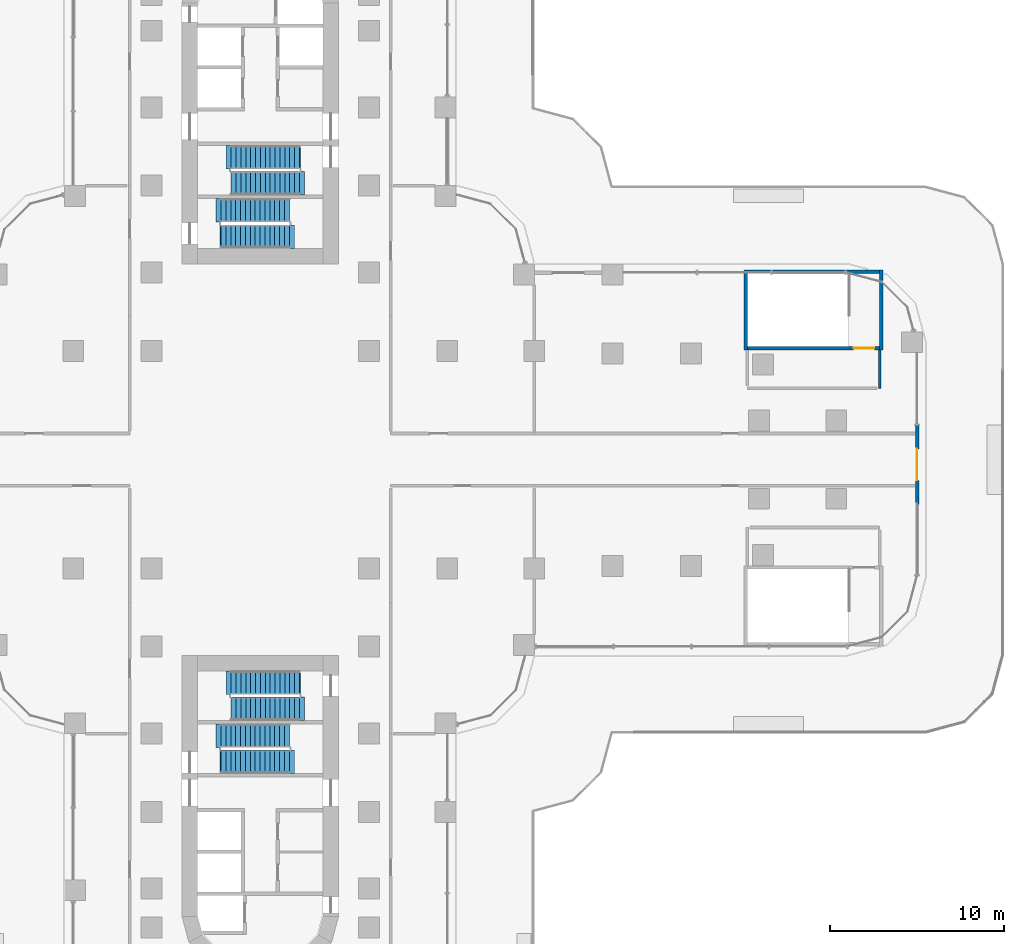
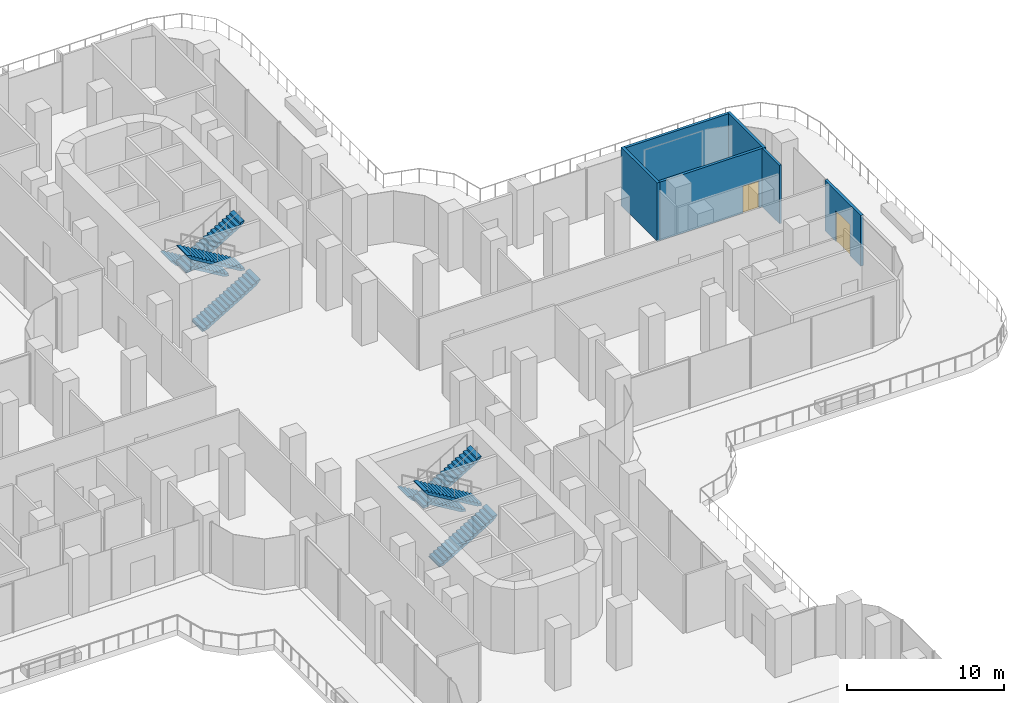
# One storey, part 17 of 21: 8 stair flights, 6 walls, 2 doors, 2 openings, 4 elements without a shape of their own.
"""IFC4 building model written with IfcOpenShell, lengths in metres."""

from ifc_helpers import new_model, si_unit, direction, frame, frame_2d, origin, place, context, subcontext, project, spatial, polyline, rectangle, outline, extrude, material, layer, layer_set, type_object, element, fill, aggregate, save


model = new_model("IFC4")

# Units and contexts
model_context = context("Model", 3, precision=1e-05, world=origin(), true_north=direction((0.0, 1.0)))
body_context = subcontext(model_context, "Body", "Model", "MODEL_VIEW")
ifc_project = project(units=[si_unit("LENGTHUNIT", "METRE"), si_unit("AREAUNIT", "SQUARE_METRE"), si_unit("VOLUMEUNIT", "CUBIC_METRE"), si_unit("PLANEANGLEUNIT", "RADIAN"), si_unit("MASSUNIT", "GRAM", prefix="KILO")], contexts=[model_context])

# Site, building, storey
site_placement = place(None, origin())
site = spatial("IfcSite", under=ifc_project, at=site_placement, CompositionType="ELEMENT")
building_placement = place(site_placement, origin())
building = spatial("IfcBuilding", under=site, at=building_placement, Name="Zarbagh Exchange Tower", CompositionType="ELEMENT")
storey_placement = place(building_placement, frame((0.0, 0.0, 22.0)))
storey = spatial("IfcBuildingStorey", under=building, at=storey_placement, Name="L04", CompositionType="ELEMENT", Elevation=22.0)

# Walls
ifc_material_1 = material(Name="Plasterboard partition")
ifc_layer_1 = layer(ifc_material_1, 0.14990234375)
ifc_layer_set_1 = layer_set([ifc_layer_1], Name="Board partition 150")
wall_type_1 = type_object("IfcWallType", Name="Board partition 150", PredefinedType="PARTITIONING", material=ifc_layer_set_1)
wall_1_placement = place(storey_placement, frame((35.60009765625, 6.300048828125, 0.0), z_axis=(0.0, 0.0, 1.0), x_axis=(0.0, -1.0, 0.0)))
element("IfcWall", 1, at=wall_1_placement, inside=storey, type_object=wall_type_1, Name="WL-L04-W003", PredefinedType="PARTITIONING", context=body_context, shape_type="SweptSolid", body=[
    extrude(rectangle(XDim=2.199951171875, YDim=0.14990234375, at=frame_2d((1.10009765625, 0.0))), origin(), (0.0, 0.0, 1.0), 4.550048828125),
])
ifc_material_2 = material(Name="Concrete C40/50", Category="concrete")
ifc_layer_2 = layer(ifc_material_2, 0.199951171875)
ifc_layer_set_2 = layer_set([ifc_layer_2], Name="Stair enclosure wall 200 mm RC C40/50")
wall_type_2 = type_object("IfcWallType", Name="Stair enclosure wall 200 mm RC C40/50", PredefinedType="SHEAR", material=ifc_layer_set_2)
for number, where, z_axis, x_axis, name in (
    (2, (27.89990234375, 6.300048828125, 0.0), (0.0, 0.0, 1.0), (0.0, 1.0, 0.0), "Exit stair PS3 enclosure wall W"),
    (3, (35.699951171875, 6.300048828125, 0.0), (0.0, 0.0, 1.0), (0.0, 1.0, 0.0), "Exit stair PS3 enclosure wall E"),
):
    element("IfcWall", number, at=place(storey_placement, frame(where, z_axis=z_axis, x_axis=x_axis)), inside=storey, type_object=wall_type_2, Name=name, PredefinedType="SHEAR", context=body_context, shape_type="SweptSolid", body=[
        extrude(rectangle(XDim=4.599853515625, YDim=0.199951171875, at=frame_2d((2.2998046875, 0.0))), origin(), (0.0, 0.0, 1.0), 4.550048828125),
    ])

# Wall, opening, door
wall_2_placement = place(storey_placement, frame((28.0, 6.39990234375, 0.0), z_axis=(0.0, 0.0, 1.0), x_axis=(1.0, 0.0, 0.0)))
wall_2 = element("IfcWall", 4, at=wall_2_placement, inside=storey, type_object=wall_type_2, Name="Exit stair PS3 enclosure wall S", PredefinedType="SHEAR", context=body_context, shape_type="SweptSolid", body=[
    extrude(rectangle(XDim=7.60009765625, YDim=0.199951171875, at=frame_2d((3.800048828125, 0.0))), origin(), (0.0, 0.0, 1.0), 4.550048828125),
])
opening_1_placement = place(wall_2_placement, frame((6.10009765625, 0.0, 0.0)))
opening_1 = element("IfcOpeningElement", 5, at=opening_1_placement, cuts=wall_2, Name="Opening SD1-1200", PredefinedType="OPENING", context=body_context, shape_type="SweptSolid", body=[
    extrude(rectangle(XDim=1.199951171875, YDim=2.10009765625, at=frame_2d((0.60009765625, 1.050048828125))), frame((0.0, 0.10986328125, 0.0), z_axis=(0.0, -1.0, 0.0), x_axis=(1.0, 0.0, 0.0)), (0.0, 0.0, 1.0), 0.219970703125),
])
ifc_material_3 = material(Name="Steel", Category="steel")
door_type_1 = type_object("IfcDoorType", Name="Exit stair door 1200 x 2100", OperationType="NOTDEFINED", PredefinedType="DOOR", material=ifc_material_3)
door_1_placement = place(opening_1_placement, origin())
door_1 = element("IfcDoor", 6, at=door_1_placement, inside=storey, type_object=door_type_1, Name="Exit stair PS3 entry door", OperationType="SINGLE_SWING_RIGHT", OverallHeight=2.10009765625, OverallWidth=1.199951171875, PredefinedType="DOOR", context=body_context, shape_type="SweptSolid", body=[
    extrude(rectangle(XDim=1.199951171875, YDim=2.10009765625, at=frame_2d((0.60009765625, 1.050048828125))), frame((0.0, 0.02490234375, 0.0), z_axis=(0.0, -1.0, 0.0), x_axis=(1.0, 0.0, 0.0)), (0.0, 0.0, 1.0), 0.050048828125),
])
fill(opening_1, door_1)

# Wall
wall_3_placement = place(storey_placement, frame((28.0, 10.800048828125, 0.0), z_axis=(0.0, 0.0, 1.0), x_axis=(1.0, 0.0, 0.0)))
element("IfcWall", 7, at=wall_3_placement, inside=storey, type_object=wall_type_2, Name="Exit stair PS3 enclosure wall N", PredefinedType="SHEAR", context=body_context, shape_type="SweptSolid", body=[
    extrude(rectangle(XDim=7.60009765625, YDim=0.199951171875, at=frame_2d((3.800048828125, 0.0))), origin(), (0.0, 0.0, 1.0), 4.550048828125),
])

# Wall, opening, door
ifc_material_4 = material(Name="Precast concrete C50/60", Category="concrete")
ifc_layer_3 = layer(ifc_material_4, 0.199951171875)
ifc_layer_set_3 = layer_set([ifc_layer_3], Name="Terrace door wall, precast concrete C50/60")
wall_type_3 = type_object("IfcWallType", Name="Terrace door wall, precast concrete C50/60", PredefinedType="SOLIDWALL", material=ifc_layer_set_3)
wall_4_placement = place(storey_placement, frame((37.75, -2.5771484375, 0.0), z_axis=(0.0, 0.0, 1.0), x_axis=(0.0, 1.0, 0.0)))
wall_4 = element("IfcWall", 8, at=wall_4_placement, inside=storey, type_object=wall_type_3, Name="TW28 door wall", PredefinedType="SOLIDWALL", context=body_context, shape_type="SweptSolid", body=[
    extrude(rectangle(XDim=4.580078125, YDim=0.199951171875, at=frame_2d((2.2900390625, 0.0))), origin(), (0.0, 0.0, 1.0), 3.949951171875),
])
opening_2_placement = place(wall_4_placement, frame((1.389892578125, 0.0, 0.0)))
opening_2 = element("IfcOpeningElement", 9, at=opening_2_placement, cuts=wall_4, Name="Opening TD03", PredefinedType="OPENING", context=body_context, shape_type="SweptSolid", body=[
    extrude(rectangle(XDim=1.800048828125, YDim=2.39990234375, at=frame_2d((0.89990234375, 1.199951171875))), frame((0.0, 0.10986328125, 0.0), z_axis=(0.0, -1.0, 0.0), x_axis=(1.0, 0.0, 0.0)), (0.0, 0.0, 1.0), 0.219970703125),
])
ifc_material_5 = material(Name="Anodised aluminium and glass", Category="aluminium")
door_type_2 = type_object("IfcDoorType", Name="Terrace door, double leaf, aluminium and glass", OperationType="DOUBLE_DOOR_DOUBLE_SWING", PredefinedType="DOOR", material=ifc_material_5)
door_2_placement = place(opening_2_placement, origin())
door_2 = element("IfcDoor", 10, at=door_2_placement, inside=storey, type_object=door_type_2, Name="TD03 terrace door", OperationType="SINGLE_SWING_LEFT", OverallHeight=2.39990234375, OverallWidth=1.800048828125, PredefinedType="DOOR", context=body_context, shape_type="SweptSolid", body=[
    extrude(rectangle(XDim=1.800048828125, YDim=2.39990234375, at=frame_2d((0.89990234375, 1.199951171875))), frame((0.0, 0.02490234375, 0.0), z_axis=(0.0, -1.0, 0.0), x_axis=(1.0, 0.0, 0.0)), (0.0, 0.0, 1.0), 0.050048828125),
])
fill(opening_2, door_2)

# Stair, stair flights
stair_type = type_object("IfcStairType", Name="Exit stair two-flight half-turn", PredefinedType="HALF_TURN_STAIR", material=ifc_material_2)
stair_1_placement = place(storey_placement, origin())
stair_1 = element("IfcStair", 11, at=stair_1_placement, inside=storey, type_object=stair_type, Name="exit stair ST1", PredefinedType="HALF_TURN_STAIR")
stair_flight_type = type_object("IfcStairFlightType", Name="Stair flight 1350 mm", PredefinedType="STRAIGHT", material=ifc_material_2)
stair_flight_1_placement = place(storey_placement, frame((2.25, 17.375, 0.0), z_axis=(0.0, 0.0, 1.0), x_axis=(-1.0, 0.0, 0.0)))
stair_flight_1 = element("IfcStairFlight", 12, at=stair_flight_1_placement, type_object=stair_flight_type, Name="ST1 flight 1", NumberOfRisers=15, NumberOfTreads=14, PredefinedType="STRAIGHT", RiserHeight=0.166666667, TreadLength=0.28, context=body_context, shape_type="SweptSolid", body=[
    extrude(outline(polyline([(-0.050048828125, -0.050048828125), (-0.050048828125, 0.0), (0.0, 0.0), (0.0, 0.166748046875), (0.280029296875, 0.166748046875), (0.280029296875, 0.333251953125), (0.56005859375, 0.333251953125), (0.56005859375, 0.5), (0.840087890625, 0.5), (0.840087890625, 0.666748046875), (1.1201171875, 0.666748046875), (1.1201171875, 0.833251953125), (1.39990234375, 0.833251953125), (1.39990234375, 1.0), (1.679931640625, 1.0), (1.679931640625, 1.166748046875), (1.9599609375, 1.166748046875), (1.9599609375, 1.333251953125), (2.239990234375, 1.333251953125), (2.239990234375, 1.5), (2.52001953125, 1.5), (2.52001953125, 1.666748046875), (2.800048828125, 1.666748046875), (2.800048828125, 1.833251953125), (3.080078125, 1.833251953125), (3.080078125, 2.0), (3.360107421875, 2.0), (3.360107421875, 2.166748046875), (3.639892578125, 2.166748046875), (3.639892578125, 2.333251953125), (3.919921875, 2.333251953125), (3.919921875, 2.5), (4.219970703125, 2.580078125), (4.219970703125, 2.5), (3.919921875, 2.158935546875), (0.29296875, 0.0), (-0.050048828125, -0.050048828125)])), frame((0.0, 0.675048828125, 0.0), z_axis=(0.0, -1.0, 0.0), x_axis=(1.0, 0.0, 0.0)), (0.0, 0.0, 1.0), 1.35009765625),
])
stair_flight_2_placement = place(storey_placement, frame((-1.669921875, 15.875, 2.5), z_axis=(0.0, 0.0, 1.0), x_axis=(1.0, 0.0, 0.0)))
stair_flight_2 = element("IfcStairFlight", 13, at=stair_flight_2_placement, type_object=stair_flight_type, Name="ST1 flight 2", NumberOfRisers=15, NumberOfTreads=14, PredefinedType="STRAIGHT", RiserHeight=0.166666667, TreadLength=0.28, context=body_context, shape_type="SweptSolid", body=[
    extrude(outline(polyline([(-0.050048828125, -0.050048828125), (-0.050048828125, 0.0), (0.0, 0.0), (0.0, 0.166748046875), (0.280029296875, 0.166748046875), (0.280029296875, 0.333251953125), (0.56005859375, 0.333251953125), (0.56005859375, 0.5), (0.840087890625, 0.5), (0.840087890625, 0.666748046875), (1.1201171875, 0.666748046875), (1.1201171875, 0.833251953125), (1.39990234375, 0.833251953125), (1.39990234375, 1.0), (1.679931640625, 1.0), (1.679931640625, 1.166748046875), (1.9599609375, 1.166748046875), (1.9599609375, 1.333251953125), (2.239990234375, 1.333251953125), (2.239990234375, 1.5), (2.52001953125, 1.5), (2.52001953125, 1.666748046875), (2.800048828125, 1.666748046875), (2.800048828125, 1.833251953125), (3.080078125, 1.833251953125), (3.080078125, 2.0), (3.360107421875, 2.0), (3.360107421875, 2.166748046875), (3.639892578125, 2.166748046875), (3.639892578125, 2.333251953125), (3.919921875, 2.333251953125), (3.919921875, 2.5), (4.219970703125, 2.580078125), (4.219970703125, 2.5), (3.919921875, 2.158935546875), (0.29296875, 0.0), (-0.050048828125, -0.050048828125)])), frame((0.0, 0.675048828125, 0.0), z_axis=(0.0, -1.0, 0.0), x_axis=(1.0, 0.0, 0.0)), (0.0, 0.0, 1.0), 1.35009765625),
])
aggregate(stair_1, [stair_flight_1, stair_flight_2])

stair_2_placement = place(storey_placement, origin())
stair_2 = element("IfcStair", 14, at=stair_2_placement, inside=storey, type_object=stair_type, Name="exit stair ST2", PredefinedType="HALF_TURN_STAIR")
stair_flight_3_placement = place(storey_placement, frame((-2.25, 12.824951171875, 0.0), z_axis=(0.0, 0.0, 1.0), x_axis=(1.0, 0.0, 0.0)))
stair_flight_3 = element("IfcStairFlight", 15, at=stair_flight_3_placement, type_object=stair_flight_type, Name="ST2 flight 1", NumberOfRisers=15, NumberOfTreads=14, PredefinedType="STRAIGHT", RiserHeight=0.166666667, TreadLength=0.28, context=body_context, shape_type="SweptSolid", body=[
    extrude(outline(polyline([(-0.050048828125, -0.050048828125), (-0.050048828125, 0.0), (0.0, 0.0), (0.0, 0.166748046875), (0.280029296875, 0.166748046875), (0.280029296875, 0.333251953125), (0.56005859375, 0.333251953125), (0.56005859375, 0.5), (0.840087890625, 0.5), (0.840087890625, 0.666748046875), (1.1201171875, 0.666748046875), (1.1201171875, 0.833251953125), (1.39990234375, 0.833251953125), (1.39990234375, 1.0), (1.679931640625, 1.0), (1.679931640625, 1.166748046875), (1.9599609375, 1.166748046875), (1.9599609375, 1.333251953125), (2.239990234375, 1.333251953125), (2.239990234375, 1.5), (2.52001953125, 1.5), (2.52001953125, 1.666748046875), (2.800048828125, 1.666748046875), (2.800048828125, 1.833251953125), (3.080078125, 1.833251953125), (3.080078125, 2.0), (3.360107421875, 2.0), (3.360107421875, 2.166748046875), (3.639892578125, 2.166748046875), (3.639892578125, 2.333251953125), (3.919921875, 2.333251953125), (3.919921875, 2.5), (4.219970703125, 2.580078125), (4.219970703125, 2.5), (3.919921875, 2.158935546875), (0.29296875, 0.0), (-0.050048828125, -0.050048828125)])), frame((0.0, 0.675048828125, 0.0), z_axis=(0.0, -1.0, 0.0), x_axis=(1.0, 0.0, 0.0)), (0.0, 0.0, 1.0), 1.35009765625),
])
stair_flight_4_placement = place(storey_placement, frame((1.669921875, 14.324951171875, 2.5), z_axis=(0.0, 0.0, 1.0), x_axis=(-1.0, 0.0, 0.0)))
stair_flight_4 = element("IfcStairFlight", 16, at=stair_flight_4_placement, type_object=stair_flight_type, Name="ST2 flight 2", NumberOfRisers=15, NumberOfTreads=14, PredefinedType="STRAIGHT", RiserHeight=0.166666667, TreadLength=0.28, context=body_context, shape_type="SweptSolid", body=[
    extrude(outline(polyline([(-0.050048828125, -0.050048828125), (-0.050048828125, 0.0), (0.0, 0.0), (0.0, 0.166748046875), (0.280029296875, 0.166748046875), (0.280029296875, 0.333251953125), (0.56005859375, 0.333251953125), (0.56005859375, 0.5), (0.840087890625, 0.5), (0.840087890625, 0.666748046875), (1.1201171875, 0.666748046875), (1.1201171875, 0.833251953125), (1.39990234375, 0.833251953125), (1.39990234375, 1.0), (1.679931640625, 1.0), (1.679931640625, 1.166748046875), (1.9599609375, 1.166748046875), (1.9599609375, 1.333251953125), (2.239990234375, 1.333251953125), (2.239990234375, 1.5), (2.52001953125, 1.5), (2.52001953125, 1.666748046875), (2.800048828125, 1.666748046875), (2.800048828125, 1.833251953125), (3.080078125, 1.833251953125), (3.080078125, 2.0), (3.360107421875, 2.0), (3.360107421875, 2.166748046875), (3.639892578125, 2.166748046875), (3.639892578125, 2.333251953125), (3.919921875, 2.333251953125), (3.919921875, 2.5), (4.219970703125, 2.580078125), (4.219970703125, 2.5), (3.919921875, 2.158935546875), (0.29296875, 0.0), (-0.050048828125, -0.050048828125)])), frame((0.0, 0.675048828125, 0.0), z_axis=(0.0, -1.0, 0.0), x_axis=(1.0, 0.0, 0.0)), (0.0, 0.0, 1.0), 1.35009765625),
])
aggregate(stair_2, [stair_flight_3, stair_flight_4])

stair_3_placement = place(storey_placement, origin())
stair_3 = element("IfcStair", 17, at=stair_3_placement, inside=storey, type_object=stair_type, Name="exit stair ST3", PredefinedType="HALF_TURN_STAIR")
stair_flight_5_placement = place(storey_placement, frame((-2.25, -17.375, 0.0), z_axis=(0.0, 0.0, 1.0), x_axis=(1.0, 0.0, 0.0)))
stair_flight_5 = element("IfcStairFlight", 18, at=stair_flight_5_placement, type_object=stair_flight_type, Name="ST3 flight 1", NumberOfRisers=15, NumberOfTreads=14, PredefinedType="STRAIGHT", RiserHeight=0.166666667, TreadLength=0.28, context=body_context, shape_type="SweptSolid", body=[
    extrude(outline(polyline([(-0.050048828125, -0.050048828125), (-0.050048828125, 0.0), (0.0, 0.0), (0.0, 0.166748046875), (0.280029296875, 0.166748046875), (0.280029296875, 0.333251953125), (0.56005859375, 0.333251953125), (0.56005859375, 0.5), (0.840087890625, 0.5), (0.840087890625, 0.666748046875), (1.1201171875, 0.666748046875), (1.1201171875, 0.833251953125), (1.39990234375, 0.833251953125), (1.39990234375, 1.0), (1.679931640625, 1.0), (1.679931640625, 1.166748046875), (1.9599609375, 1.166748046875), (1.9599609375, 1.333251953125), (2.239990234375, 1.333251953125), (2.239990234375, 1.5), (2.52001953125, 1.5), (2.52001953125, 1.666748046875), (2.800048828125, 1.666748046875), (2.800048828125, 1.833251953125), (3.080078125, 1.833251953125), (3.080078125, 2.0), (3.360107421875, 2.0), (3.360107421875, 2.166748046875), (3.639892578125, 2.166748046875), (3.639892578125, 2.333251953125), (3.919921875, 2.333251953125), (3.919921875, 2.5), (4.219970703125, 2.580078125), (4.219970703125, 2.5), (3.919921875, 2.158935546875), (0.29296875, 0.0), (-0.050048828125, -0.050048828125)])), frame((0.0, 0.675048828125, 0.0), z_axis=(0.0, -1.0, 0.0), x_axis=(1.0, 0.0, 0.0)), (0.0, 0.0, 1.0), 1.35009765625),
])
stair_flight_6_placement = place(storey_placement, frame((1.669921875, -15.875, 2.5), z_axis=(0.0, 0.0, 1.0), x_axis=(-1.0, 0.0, 0.0)))
stair_flight_6 = element("IfcStairFlight", 19, at=stair_flight_6_placement, type_object=stair_flight_type, Name="ST3 flight 2", NumberOfRisers=15, NumberOfTreads=14, PredefinedType="STRAIGHT", RiserHeight=0.166666667, TreadLength=0.28, context=body_context, shape_type="SweptSolid", body=[
    extrude(outline(polyline([(-0.050048828125, -0.050048828125), (-0.050048828125, 0.0), (0.0, 0.0), (0.0, 0.166748046875), (0.280029296875, 0.166748046875), (0.280029296875, 0.333251953125), (0.56005859375, 0.333251953125), (0.56005859375, 0.5), (0.840087890625, 0.5), (0.840087890625, 0.666748046875), (1.1201171875, 0.666748046875), (1.1201171875, 0.833251953125), (1.39990234375, 0.833251953125), (1.39990234375, 1.0), (1.679931640625, 1.0), (1.679931640625, 1.166748046875), (1.9599609375, 1.166748046875), (1.9599609375, 1.333251953125), (2.239990234375, 1.333251953125), (2.239990234375, 1.5), (2.52001953125, 1.5), (2.52001953125, 1.666748046875), (2.800048828125, 1.666748046875), (2.800048828125, 1.833251953125), (3.080078125, 1.833251953125), (3.080078125, 2.0), (3.360107421875, 2.0), (3.360107421875, 2.166748046875), (3.639892578125, 2.166748046875), (3.639892578125, 2.333251953125), (3.919921875, 2.333251953125), (3.919921875, 2.5), (4.219970703125, 2.580078125), (4.219970703125, 2.5), (3.919921875, 2.158935546875), (0.29296875, 0.0), (-0.050048828125, -0.050048828125)])), frame((0.0, 0.675048828125, 0.0), z_axis=(0.0, -1.0, 0.0), x_axis=(1.0, 0.0, 0.0)), (0.0, 0.0, 1.0), 1.35009765625),
])
aggregate(stair_3, [stair_flight_5, stair_flight_6])

stair_4_placement = place(storey_placement, origin())
stair_4 = element("IfcStair", 20, at=stair_4_placement, inside=storey, type_object=stair_type, Name="exit stair ST4", PredefinedType="HALF_TURN_STAIR")
stair_flight_7_placement = place(storey_placement, frame((2.25, -12.824951171875, 0.0), z_axis=(0.0, 0.0, 1.0), x_axis=(-1.0, 0.0, 0.0)))
stair_flight_7 = element("IfcStairFlight", 21, at=stair_flight_7_placement, type_object=stair_flight_type, Name="ST4 flight 1", NumberOfRisers=15, NumberOfTreads=14, PredefinedType="STRAIGHT", RiserHeight=0.166666667, TreadLength=0.28, context=body_context, shape_type="SweptSolid", body=[
    extrude(outline(polyline([(-0.050048828125, -0.050048828125), (-0.050048828125, 0.0), (0.0, 0.0), (0.0, 0.166748046875), (0.280029296875, 0.166748046875), (0.280029296875, 0.333251953125), (0.56005859375, 0.333251953125), (0.56005859375, 0.5), (0.840087890625, 0.5), (0.840087890625, 0.666748046875), (1.1201171875, 0.666748046875), (1.1201171875, 0.833251953125), (1.39990234375, 0.833251953125), (1.39990234375, 1.0), (1.679931640625, 1.0), (1.679931640625, 1.166748046875), (1.9599609375, 1.166748046875), (1.9599609375, 1.333251953125), (2.239990234375, 1.333251953125), (2.239990234375, 1.5), (2.52001953125, 1.5), (2.52001953125, 1.666748046875), (2.800048828125, 1.666748046875), (2.800048828125, 1.833251953125), (3.080078125, 1.833251953125), (3.080078125, 2.0), (3.360107421875, 2.0), (3.360107421875, 2.166748046875), (3.639892578125, 2.166748046875), (3.639892578125, 2.333251953125), (3.919921875, 2.333251953125), (3.919921875, 2.5), (4.219970703125, 2.580078125), (4.219970703125, 2.5), (3.919921875, 2.158935546875), (0.29296875, 0.0), (-0.050048828125, -0.050048828125)])), frame((0.0, 0.675048828125, 0.0), z_axis=(0.0, -1.0, 0.0), x_axis=(1.0, 0.0, 0.0)), (0.0, 0.0, 1.0), 1.35009765625),
])
stair_flight_8_placement = place(storey_placement, frame((-1.669921875, -14.324951171875, 2.5), z_axis=(0.0, 0.0, 1.0), x_axis=(1.0, 0.0, 0.0)))
stair_flight_8 = element("IfcStairFlight", 22, at=stair_flight_8_placement, type_object=stair_flight_type, Name="ST4 flight 2", NumberOfRisers=15, NumberOfTreads=14, PredefinedType="STRAIGHT", RiserHeight=0.166666667, TreadLength=0.28, context=body_context, shape_type="SweptSolid", body=[
    extrude(outline(polyline([(-0.050048828125, -0.050048828125), (-0.050048828125, 0.0), (0.0, 0.0), (0.0, 0.166748046875), (0.280029296875, 0.166748046875), (0.280029296875, 0.333251953125), (0.56005859375, 0.333251953125), (0.56005859375, 0.5), (0.840087890625, 0.5), (0.840087890625, 0.666748046875), (1.1201171875, 0.666748046875), (1.1201171875, 0.833251953125), (1.39990234375, 0.833251953125), (1.39990234375, 1.0), (1.679931640625, 1.0), (1.679931640625, 1.166748046875), (1.9599609375, 1.166748046875), (1.9599609375, 1.333251953125), (2.239990234375, 1.333251953125), (2.239990234375, 1.5), (2.52001953125, 1.5), (2.52001953125, 1.666748046875), (2.800048828125, 1.666748046875), (2.800048828125, 1.833251953125), (3.080078125, 1.833251953125), (3.080078125, 2.0), (3.360107421875, 2.0), (3.360107421875, 2.166748046875), (3.639892578125, 2.166748046875), (3.639892578125, 2.333251953125), (3.919921875, 2.333251953125), (3.919921875, 2.5), (4.219970703125, 2.580078125), (4.219970703125, 2.5), (3.919921875, 2.158935546875), (0.29296875, 0.0), (-0.050048828125, -0.050048828125)])), frame((0.0, 0.675048828125, 0.0), z_axis=(0.0, -1.0, 0.0), x_axis=(1.0, 0.0, 0.0)), (0.0, 0.0, 1.0), 1.35009765625),
])
aggregate(stair_4, [stair_flight_7, stair_flight_8])

save(model, "model.ifc")
